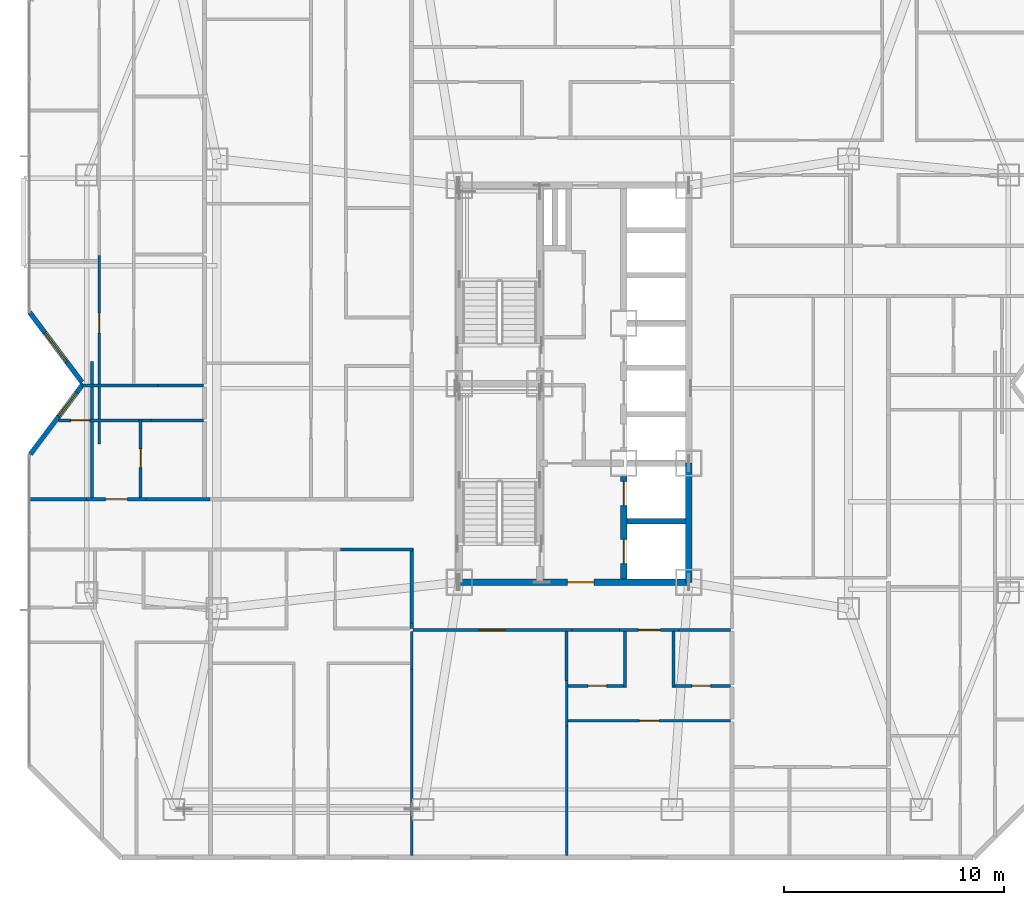
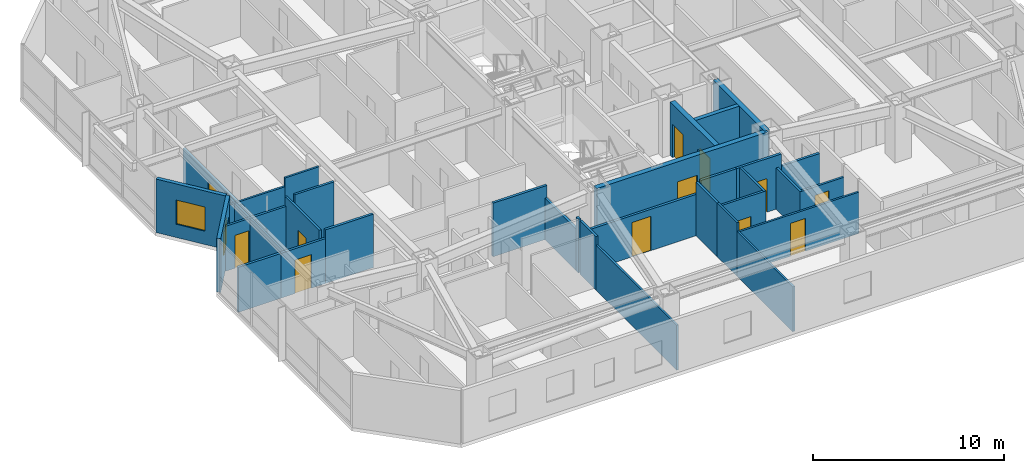
# One storey, part 15 of 21: 33 walls, 12 doors, 2 windows, 14 openings.
"""IFC4 building model written with IfcOpenShell, lengths in metres."""

import ifcopenshell
import ifcopenshell.guid

model = None  # the IFC model being written
_history = None  # IfcOwnerHistory: only IFC2X3 demands one
_inside = {}  # id of a spatial element -> (the spatial element, [elements in it])
_under = {}  # id of a project, library or spatial element -> (it, [spatial elements below it])
_declared = {}  # id of a project -> (the project, [libraries it declares])
_typed = {}  # id of a type object -> (the type object, [elements of that type])
_made_of = {}  # id of a material, layer set ... -> (it, [elements and type objects made of it])


def new_model(schema):
    """Start an empty IFC model of exactly this schema.

    Asked for "IFC4X3", IfcOpenShell would pick the latest addendum, in which some entities
    have other attributes; the version numbers below select the first issue.
    IFC2X3 requires an IfcOwnerHistory on every rooted entity: one is made here for all.
    """
    global model, _history
    if schema == "IFC4X3":
        model = ifcopenshell.file(schema_version=(4, 3, 0, 0))
    else:
        model = ifcopenshell.file(schema=schema)
    _inside.clear()
    _under.clear()
    _declared.clear()
    _typed.clear()
    _made_of.clear()
    _history = None
    if model.schema == "IFC2X3":
        org = make("IfcOrganization", Name="unknown")
        user = make(
            "IfcPersonAndOrganization",
            ThePerson=make("IfcPerson", FamilyName="unknown"),
            TheOrganization=org,
        )
        app = make(
            "IfcApplication",
            ApplicationDeveloper=org,
            Version="unknown",
            ApplicationFullName="unknown",
            ApplicationIdentifier="unknown",
        )
        _history = make(
            "IfcOwnerHistory",
            OwningUser=user,
            OwningApplication=app,
            ChangeAction="ADDED",
            CreationDate=0,
        )
    return model


def make(cls, **values):
    """One entity of the class cls with the attributes given. An attribute that is None is left unset."""
    return model.create_entity(
        cls, **{name: value for name, value in values.items() if value is not None}
    )


def rooted(cls, **values):
    """An entity with a GlobalId (a new one), such as an element, a storey or a relation."""
    return make(cls, GlobalId=ifcopenshell.guid.new(), OwnerHistory=_history, **values)


def si_unit(unit_type, name, prefix=None):
    """IfcSIUnit, for example si_unit("LENGTHUNIT", "METRE", prefix="MILLI")."""
    return make("IfcSIUnit", UnitType=unit_type, Prefix=prefix, Name=name)


def assignment(units):
    """IfcUnitAssignment: the units of a project."""
    return None if units is None else make("IfcUnitAssignment", Units=units)


def point(xyz):
    """IfcCartesianPoint."""
    return None if xyz is None else make("IfcCartesianPoint", Coordinates=xyz)


def direction(xyz):
    """IfcDirection."""
    return None if xyz is None else make("IfcDirection", DirectionRatios=xyz)


def frame(location, z_axis=None, x_axis=None):
    """IfcAxis2Placement3D, a coordinate frame: its origin and axes. An axis left out is left unset."""
    return make(
        "IfcAxis2Placement3D",
        Location=point(location),
        Axis=direction(z_axis),
        RefDirection=direction(x_axis),
    )


def frame_2d(location, x_axis=None):
    """IfcAxis2Placement2D, a coordinate frame in the plane: its origin and x axis."""
    return make(
        "IfcAxis2Placement2D", Location=point(location), RefDirection=direction(x_axis)
    )


def origin():
    """The frame at (0, 0, 0) with its axes left unset."""
    return frame((0.0, 0.0, 0.0))


def place(relative_to, where):
    """IfcLocalPlacement: puts the frame where relative to a parent placement (None: the world)."""
    return make(
        "IfcLocalPlacement", PlacementRelTo=relative_to, RelativePlacement=where
    )


def context(
    kind, dimensions, precision=None, world=None, true_north=None, identifier=None
):
    """IfcGeometricRepresentationContext, for example the 3D "Model" context."""
    return make(
        "IfcGeometricRepresentationContext",
        ContextIdentifier=identifier,
        ContextType=kind,
        CoordinateSpaceDimension=dimensions,
        Precision=precision,
        WorldCoordinateSystem=world,
        TrueNorth=true_north,
    )


def subcontext(parent, identifier, kind, view, scale=None):
    """IfcGeometricRepresentationSubContext, for example "Body" below "Model"."""
    return make(
        "IfcGeometricRepresentationSubContext",
        ContextIdentifier=identifier,
        ContextType=kind,
        ParentContext=parent,
        TargetScale=scale,
        TargetView=view,
    )


def project(units=None, contexts=None):
    """IfcProject with its units and contexts."""
    return rooted(
        "IfcProject",
        Name="project",
        RepresentationContexts=contexts,
        UnitsInContext=assignment(units),
    )


def spatial(cls, under=None, at=None, **own):
    """A site, building, storey or space (cls), placed at a placement, below another one or the project."""
    s = rooted(cls, ObjectPlacement=at, **own)
    if under is not None:
        _under.setdefault(under.id(), (under, []))[1].append(s)
    return s


def profile(cls, at=None, kind="AREA", **sizes):
    """A parametric profile (cls). Its sizes go by their IFC names, for example OverallWidth=200.0."""
    return make(cls, ProfileType=kind, Position=at, **sizes)


def rectangle(**sizes):
    """IfcRectangleProfileDef."""
    return profile("IfcRectangleProfileDef", **sizes)


def extrude(swept, where, along, depth):
    """IfcExtrudedAreaSolid: the profile swept, set in the frame where, extruded along a direction by depth."""
    return make(
        "IfcExtrudedAreaSolid",
        SweptArea=swept,
        Position=where,
        ExtrudedDirection=direction(along),
        Depth=depth,
    )


def shape(context_of_items, identifier, shape_type, items):
    """IfcShapeRepresentation: the items that make up one representation, for example the "Body"."""
    return make(
        "IfcShapeRepresentation",
        ContextOfItems=context_of_items,
        RepresentationIdentifier=identifier,
        RepresentationType=shape_type,
        Items=items,
    )


def material(Name=None, Category=None):
    """IfcMaterial."""
    return make("IfcMaterial", Name=Name, Category=Category)


def layer(
    of_material, thickness, ventilated=None, Name=None, Category=None, Priority=None
):
    """IfcMaterialLayer: one layer of a wall or slab, of a material (None: an air gap)."""
    return make(
        "IfcMaterialLayer",
        Material=of_material,
        LayerThickness=thickness,
        IsVentilated=ventilated,
        Name=Name,
        Category=Category,
        Priority=Priority,
    )


def layer_set(layers, Name=None):
    """IfcMaterialLayerSet."""
    return make("IfcMaterialLayerSet", MaterialLayers=layers, LayerSetName=Name)


def made_of(thing, what):
    """Note that an element or type object is made of a material, layer set ...; save() writes the relation."""
    if what is not None:
        _made_of.setdefault(what.id(), (what, []))[1].append(thing)
    return thing


def type_object(cls, material=None, **own):
    """A type object (cls), such as IfcWallType, which elements share."""
    return made_of(rooted(cls, **own), material)


def element(
    cls,
    number,
    at=None,
    inside=None,
    cuts=None,
    type_object=None,
    material=None,
    context=None,
    identifier="Body",
    shape_type=None,
    held_by="IfcProductDefinitionShape",
    body=None,
    shapes=None,
    **own,
):
    """One element of the class cls, such as IfcWall. Its Tag is "e" and its number.

    at: its placement. inside: the storey or other place that contains it. cuts: it is an
    opening in that element (IfcRelVoidsElement). A single representation is given by context,
    identifier, shape_type and body (its items); several are given by shapes. held_by: the class
    of the entity that holds the representations. save() writes the other relations.
    """
    e = rooted(cls, Tag="e%d" % number, ObjectPlacement=at, **own)
    if body is not None:
        shapes = [shape(context, identifier, shape_type, body)]
    if shapes is not None:
        e.Representation = make(held_by, Representations=shapes)
    if inside is not None:
        _inside.setdefault(inside.id(), (inside, []))[1].append(e)
    if cuts is not None:
        rooted(
            "IfcRelVoidsElement", RelatingBuildingElement=cuts, RelatedOpeningElement=e
        )
    if type_object is not None:
        _typed.setdefault(type_object.id(), (type_object, []))[1].append(e)
    return made_of(e, material)


def fill(opening, filler):
    """IfcRelFillsElement: the door or window that sits in an opening."""
    return rooted(
        "IfcRelFillsElement",
        RelatingOpeningElement=opening,
        RelatedBuildingElement=filler,
    )


def aggregate(whole, parts):
    """IfcRelAggregates: a whole, such as a stair, and the parts it consists of."""
    return rooted("IfcRelAggregates", RelatingObject=whole, RelatedObjects=parts)


def save(model, path):
    """Write the relations noted so far, then the file.

    IfcRelAggregates (storeys below a building ...), IfcRelContainedInSpatialStructure (elements
    in a storey), IfcRelDefinesByType, IfcRelAssociatesMaterial and IfcRelDeclares: one each for
    every whole, place, type object, material and project.
    """
    for whole, parts in _under.values():
        aggregate(whole, parts)
    for where, things in _inside.values():
        rooted(
            "IfcRelContainedInSpatialStructure",
            RelatedElements=things,
            RelatingStructure=where,
        )
    for kind, things in _typed.values():
        rooted("IfcRelDefinesByType", RelatedObjects=things, RelatingType=kind)
    for what, things in _made_of.values():
        rooted("IfcRelAssociatesMaterial", RelatedObjects=things, RelatingMaterial=what)
    for by, libraries in _declared.values():
        rooted("IfcRelDeclares", RelatingContext=by, RelatedDefinitions=libraries)
    model.write(path)


model = new_model("IFC4")

# Units and contexts
model_context = context("Model", 3, precision=1e-05, world=origin(), true_north=direction((0.0, 1.0)))
body_context = subcontext(model_context, "Body", "Model", "MODEL_VIEW")
ifc_project = project(units=[si_unit("LENGTHUNIT", "METRE"), si_unit("AREAUNIT", "SQUARE_METRE"), si_unit("VOLUMEUNIT", "CUBIC_METRE"), si_unit("PLANEANGLEUNIT", "RADIAN"), si_unit("MASSUNIT", "GRAM", prefix="KILO")], contexts=[model_context])

# Site, building, storey
site_placement = place(None, origin())
site = spatial("IfcSite", under=ifc_project, at=site_placement, CompositionType="ELEMENT")
building_placement = place(site_placement, origin())
building = spatial("IfcBuilding", under=site, at=building_placement, Name="Khamvora Tower", CompositionType="ELEMENT")
storey_placement = place(building_placement, frame((0.0, 0.0, 98.25)))
storey = spatial("IfcBuildingStorey", under=building, at=storey_placement, Name="L24", CompositionType="ELEMENT", Elevation=98.25)

# Wall, opening, door
ifc_material_1 = material(Name="Concrete C50/60", Category="concrete")
ifc_layer_1 = layer(ifc_material_1, 0.300048828125)
ifc_layer_set_1 = layer_set([ifc_layer_1], Name="Concrete C50/60")
wall_type_1 = type_object("IfcWallType", Name="WAL-CORE-300", PredefinedType="SHEAR", material=ifc_layer_set_1)
wall_1_placement = place(storey_placement, frame((29.0, 19.0, 0.0), z_axis=(0.0, 0.0, 1.0), x_axis=(1.0, 0.0, 0.0)))
wall_1 = element("IfcWall", 1, at=wall_1_placement, inside=storey, type_object=wall_type_1, Name="L24 central core south wall", PredefinedType="SHEAR", context=body_context, shape_type="SweptSolid", body=[
    extrude(rectangle(XDim=10.39990234375, YDim=0.300048828125, at=frame_2d((5.199951171875, 0.0))), origin(), (0.0, 0.0, 1.0), 3.429931640625),
])
opening_1_placement = place(wall_1_placement, frame((4.89990234375, 0.0, 0.0)))
opening_1 = element("IfcOpeningElement", 2, at=opening_1_placement, cuts=wall_1, Name="Opening D-CR1", PredefinedType="OPENING", context=body_context, shape_type="SweptSolid", body=[
    extrude(rectangle(XDim=1.199951171875, YDim=2.14990234375, at=frame_2d((0.60009765625, 1.074951171875))), frame((0.0, 0.159912109375, 0.0), z_axis=(0.0, -1.0, 0.0), x_axis=(1.0, 0.0, 0.0)), (0.0, 0.0, 1.0), 0.320068359375),
])
ifc_material_2 = material(Name="Powder-Coated Steel and Hardwood Leaf", Category="steel")
door_type_1 = type_object("IfcDoorType", Name="DOR-CORR-1200", OperationType="NOTDEFINED", PredefinedType="DOOR", material=ifc_material_2)
door_1_placement = place(opening_1_placement, origin())
door_1 = element("IfcDoor", 3, at=door_1_placement, inside=storey, type_object=door_type_1, Name="L24 south core lobby to corridor fire door", OperationType="SINGLE_SWING_LEFT", OverallHeight=2.14990234375, OverallWidth=1.199951171875, PredefinedType="DOOR", context=body_context, shape_type="SweptSolid", body=[
    extrude(rectangle(XDim=1.199951171875, YDim=2.14990234375, at=frame_2d((0.60009765625, 1.074951171875))), frame((0.0, 0.02490234375, 0.0), z_axis=(0.0, -1.0, 0.0), x_axis=(1.0, 0.0, 0.0)), (0.0, 0.0, 1.0), 0.050048828125),
])
fill(opening_1, door_1)

# Wall
wall_2_placement = place(storey_placement, frame((39.39990234375, 19.0, 0.0), z_axis=(0.0, 0.0, 1.0), x_axis=(0.0, 1.0, 0.0)))
element("IfcWall", 4, at=wall_2_placement, inside=storey, type_object=wall_type_1, Name="L24 central core east south wall", PredefinedType="SHEAR", context=body_context, shape_type="SweptSolid", body=[
    extrude(rectangle(XDim=5.39990234375, YDim=0.300048828125, at=frame_2d((2.699951171875, 0.0))), origin(), (0.0, 0.0, 1.0), 3.429931640625),
])

# Wall, openings, doors
wall_3_placement = place(storey_placement, frame((36.449951171875, 19.154052734375, 0.0), z_axis=(0.0, 0.0, 1.0), x_axis=(0.0, 1.0, 0.0)))
wall_3 = element("IfcWall", 5, at=wall_3_placement, inside=storey, type_object=wall_type_1, Name="L24 central core lift bank south wall", PredefinedType="SHEAR", context=body_context, shape_type="SweptSolid", body=[
    extrude(rectangle(XDim=4.64599609375, YDim=0.300048828125, at=frame_2d((2.322998046875, 0.0))), origin(), (0.0, 0.0, 1.0), 3.429931640625),
])
opening_2_placement = place(wall_3_placement, frame((0.696044921875, 0.0, 0.0)))
opening_2 = element("IfcOpeningElement", 6, at=opening_2_placement, cuts=wall_3, Name="Opening LD-FFL", PredefinedType="OPENING", context=body_context, shape_type="SweptSolid", body=[
    extrude(rectangle(XDim=1.10009765625, YDim=2.14990234375, at=frame_2d((0.550048828125, 1.074951171875))), frame((0.0, 0.159912109375, 0.0), z_axis=(0.0, -1.0, 0.0), x_axis=(1.0, 0.0, 0.0)), (0.0, 0.0, 1.0), 0.320068359375),
])
opening_3_placement = place(wall_3_placement, frame((3.31591796875, 0.0, 0.0)))
opening_3 = element("IfcOpeningElement", 7, at=opening_3_placement, cuts=wall_3, Name="Opening LD-FFL", PredefinedType="OPENING", context=body_context, shape_type="SweptSolid", body=[
    extrude(rectangle(XDim=1.10009765625, YDim=2.14990234375, at=frame_2d((0.550048828125, 1.074951171875))), frame((0.0, 0.159912109375, 0.0), z_axis=(0.0, -1.0, 0.0), x_axis=(1.0, 0.0, 0.0)), (0.0, 0.0, 1.0), 0.320068359375),
])
door_type_2 = type_object("IfcDoorType", Name="DOR-LIFT-1100", OperationType="SLIDING_TO_LEFT", PredefinedType="DOOR", material=ifc_material_2)
door_2_placement = place(opening_2_placement, origin())
door_2 = element("IfcDoor", 8, at=door_2_placement, inside=storey, type_object=door_type_2, Name="L24 lift landing sliding door FFL-01", OperationType="SLIDING_TO_LEFT", OverallHeight=2.14990234375, OverallWidth=1.10009765625, PredefinedType="DOOR", context=body_context, shape_type="SweptSolid", body=[
    extrude(rectangle(XDim=1.10009765625, YDim=2.14990234375, at=frame_2d((0.550048828125, 1.074951171875))), frame((0.0, 0.02490234375, 0.0), z_axis=(0.0, -1.0, 0.0), x_axis=(1.0, 0.0, 0.0)), (0.0, 0.0, 1.0), 0.050048828125),
])
fill(opening_2, door_2)
door_3_placement = place(opening_3_placement, origin())
door_3 = element("IfcDoor", 9, at=door_3_placement, inside=storey, type_object=door_type_2, Name="L24 lift landing sliding door FFL-02", OperationType="SLIDING_TO_LEFT", OverallHeight=2.14990234375, OverallWidth=1.10009765625, PredefinedType="DOOR", context=body_context, shape_type="SweptSolid", body=[
    extrude(rectangle(XDim=1.10009765625, YDim=2.14990234375, at=frame_2d((0.550048828125, 1.074951171875))), frame((0.0, 0.02490234375, 0.0), z_axis=(0.0, -1.0, 0.0), x_axis=(1.0, 0.0, 0.0)), (0.0, 0.0, 1.0), 0.050048828125),
])
fill(opening_3, door_3)

# Wall, opening, door
ifc_material_3 = material(Name="Fire-Rated Drywall and Steel Stud", Category="steel")
ifc_layer_2 = layer(ifc_material_3, 0.14990234375)
ifc_layer_set_2 = layer_set([ifc_layer_2], Name="Fire-Rated Drywall and Steel Stud")
wall_type_2 = type_object("IfcWallType", Name="WAL-CORR-150", PredefinedType="STANDARD", material=ifc_layer_set_2)
wall_4_placement = place(storey_placement, frame((34.114013671875, 16.8349609375, 0.0), z_axis=(0.0, 0.0, 1.0), x_axis=(-1.0, 0.0, 0.0)))
wall_4 = element("IfcWall", 10, at=wall_4_placement, inside=storey, type_object=wall_type_2, Name="L24 interior partition wall 006", PredefinedType="STANDARD", context=body_context, shape_type="SweptSolid", body=[
    extrude(rectangle(XDim=7.214111328125, YDim=0.14990234375, at=frame_2d((3.60693359375, 0.0))), origin(), (0.0, 0.0, 1.0), 2.64697265625),
])
opening_4_placement = place(wall_4_placement, frame((3.052978515625, 0.0, 0.0)))
opening_4 = element("IfcOpeningElement", 11, at=opening_4_placement, cuts=wall_4, Name="Opening D-SC1", PredefinedType="OPENING", context=body_context, shape_type="SweptSolid", body=[
    extrude(rectangle(XDim=1.14990234375, YDim=2.199951171875, at=frame_2d((0.574951171875, 1.10009765625))), frame((0.0, 0.0849609375, 0.0), z_axis=(0.0, -1.0, 0.0), x_axis=(1.0, 0.0, 0.0)), (0.0, 0.0, 1.0), 0.169921875),
])
door_type_3 = type_object("IfcDoorType", Name="DOR-SCHL-1150", OperationType="NOTDEFINED", PredefinedType="DOOR", material=ifc_material_2)
door_4_placement = place(opening_4_placement, origin())
door_4 = element("IfcDoor", 12, at=door_4_placement, inside=storey, type_object=door_type_3, Name="L24 interior door COR-RLIB", OperationType="SINGLE_SWING_LEFT", OverallHeight=2.199951171875, OverallWidth=1.14990234375, PredefinedType="DOOR", context=body_context, shape_type="SweptSolid", body=[
    extrude(rectangle(XDim=1.14990234375, YDim=2.199951171875, at=frame_2d((0.574951171875, 1.10009765625))), frame((0.0, 0.02490234375, 0.0), z_axis=(0.0, -1.0, 0.0), x_axis=(1.0, 0.0, 0.0)), (0.0, 0.0, 1.0), 0.050048828125),
])
fill(opening_4, door_4)

# Walls
wall_5_placement = place(storey_placement, frame((26.8349609375, 16.89990234375, 0.0), z_axis=(0.0, 0.0, 1.0), x_axis=(0.0, 1.0, 0.0)))
element("IfcWall", 13, at=wall_5_placement, inside=storey, type_object=wall_type_2, Name="L24 interior partition wall 010", PredefinedType="STANDARD", context=body_context, shape_type="SweptSolid", body=[
    extrude(rectangle(XDim=0.254150390625, YDim=0.14990234375, at=frame_2d((0.126953125, 0.0))), origin(), (0.0, 0.0, 1.0), 3.429931640625),
])
wall_6_placement = place(storey_placement, frame((26.8349609375, 17.154052734375, 0.0), z_axis=(0.0, 0.0, 1.0), x_axis=(0.0, 1.0, 0.0)))
element("IfcWall", 14, at=wall_6_placement, inside=storey, type_object=wall_type_2, Name="L24 interior partition wall 013", PredefinedType="STANDARD", context=body_context, shape_type="SweptSolid", body=[
    extrude(rectangle(XDim=3.39599609375, YDim=0.14990234375, at=frame_2d((1.697998046875, 0.0))), origin(), (0.0, 0.0, 1.0), 2.64697265625),
])
wall_7_placement = place(storey_placement, frame((26.89794921875, 20.485107421875, 0.0), z_axis=(0.0, 0.0, 1.0), x_axis=(-1.0, 0.0, 0.0)))
element("IfcWall", 15, at=wall_7_placement, inside=storey, type_object=wall_type_2, Name="L24 interior partition wall 014", PredefinedType="STANDARD", context=body_context, shape_type="SweptSolid", body=[
    extrude(rectangle(XDim=3.279052734375, YDim=0.14990234375, at=frame_2d((1.6396484375, 0.0))), origin(), (0.0, 0.0, 1.0), 3.429931640625),
])

# Wall, opening, door
wall_8_placement = place(storey_placement, frame((12.097900390625, 22.764892578125, 0.0), z_axis=(0.0, 0.0, 1.0), x_axis=(1.0, 0.0, 0.0)))
wall_8 = element("IfcWall", 16, at=wall_8_placement, inside=storey, type_object=wall_type_2, Name="L24 interior partition wall 015", PredefinedType="STANDARD", context=body_context, shape_type="SweptSolid", body=[
    extrude(rectangle(XDim=2.697998046875, YDim=0.14990234375, at=frame_2d((1.34912109375, 0.0))), origin(), (0.0, 0.0, 1.0), 2.8759765625),
])
opening_5_placement = place(wall_8_placement, frame((0.84912109375, 0.0, 0.0)))
opening_5 = element("IfcOpeningElement", 17, at=opening_5_placement, cuts=wall_8, Name="Opening D-U1", PredefinedType="OPENING", context=body_context, shape_type="SweptSolid", body=[
    extrude(rectangle(XDim=1.0, YDim=2.14990234375, at=frame_2d((0.5, 1.074951171875))), frame((0.0, 0.0849609375, 0.0), z_axis=(0.0, -1.0, 0.0), x_axis=(1.0, 0.0, 0.0)), (0.0, 0.0, 1.0), 0.169921875),
])
door_type_4 = type_object("IfcDoorType", Name="DOR-UNIT-1000", OperationType="NOTDEFINED", PredefinedType="DOOR", material=ifc_material_2)
door_5_placement = place(opening_5_placement, origin())
door_5 = element("IfcDoor", 18, at=door_5_placement, inside=storey, type_object=door_type_4, Name="L24 interior door COR-24WC1H", OperationType="SINGLE_SWING_RIGHT", OverallHeight=2.14990234375, OverallWidth=1.0, PredefinedType="DOOR", context=body_context, shape_type="SweptSolid", body=[
    extrude(rectangle(XDim=1.0, YDim=2.14990234375, at=frame_2d((0.5, 1.074951171875))), frame((0.0, 0.02490234375, 0.0), z_axis=(0.0, -1.0, 0.0), x_axis=(1.0, 0.0, 0.0)), (0.0, 0.0, 1.0), 0.050048828125),
])
fill(opening_5, door_5)

# Walls
wall_9_placement = place(storey_placement, frame((9.510009765625, 22.764892578125, 0.0), z_axis=(0.0, 0.0, 1.0), x_axis=(1.0, 0.0, 0.0)))
element("IfcWall", 19, at=wall_9_placement, inside=storey, type_object=wall_type_2, Name="L24 interior partition wall 016", PredefinedType="STANDARD", context=body_context, shape_type="SweptSolid", body=[
    extrude(rectangle(XDim=2.587890625, YDim=0.14990234375, at=frame_2d((1.2939453125, 0.0))), origin(), (0.0, 0.0, 1.0), 2.8759765625),
])
wall_10_placement = place(storey_placement, frame((14.7958984375, 22.764892578125, 0.0), z_axis=(0.0, 0.0, 1.0), x_axis=(1.0, 0.0, 0.0)))
element("IfcWall", 20, at=wall_10_placement, inside=storey, type_object=wall_type_2, Name="L24 interior partition wall 017", PredefinedType="STANDARD", context=body_context, shape_type="SweptSolid", body=[
    extrude(rectangle(XDim=2.903076171875, YDim=0.14990234375, at=frame_2d((1.45166015625, 0.0))), origin(), (0.0, 0.0, 1.0), 3.429931640625),
])

# Wall, opening, door
wall_11_placement = place(storey_placement, frame((38.964111328125, 16.8349609375, 0.0), z_axis=(0.0, 0.0, 1.0), x_axis=(-1.0, 0.0, 0.0)))
wall_11 = element("IfcWall", 21, at=wall_11_placement, inside=storey, type_object=wall_type_2, Name="L24 interior partition wall 025", PredefinedType="STANDARD", context=body_context, shape_type="SweptSolid", body=[
    extrude(rectangle(XDim=2.697998046875, YDim=0.14990234375, at=frame_2d((1.34912109375, 0.0))), origin(), (0.0, 0.0, 1.0), 3.429931640625),
])
opening_6_placement = place(wall_11_placement, frame((0.84912109375, 0.0, 0.0)))
opening_6 = element("IfcOpeningElement", 22, at=opening_6_placement, cuts=wall_11, Name="Opening D-U1", PredefinedType="OPENING", context=body_context, shape_type="SweptSolid", body=[
    extrude(rectangle(XDim=1.0, YDim=2.14990234375, at=frame_2d((0.5, 1.074951171875))), frame((0.0, 0.0849609375, 0.0), z_axis=(0.0, -1.0, 0.0), x_axis=(1.0, 0.0, 0.0)), (0.0, 0.0, 1.0), 0.169921875),
])
door_6_placement = place(opening_6_placement, origin())
door_6 = element("IfcDoor", 23, at=door_6_placement, inside=storey, type_object=door_type_4, Name="L24 interior door COR-24SAH", OperationType="SINGLE_SWING_RIGHT", OverallHeight=2.14990234375, OverallWidth=1.0, PredefinedType="DOOR", context=body_context, shape_type="SweptSolid", body=[
    extrude(rectangle(XDim=1.0, YDim=2.14990234375, at=frame_2d((0.5, 1.074951171875))), frame((0.0, 0.02490234375, 0.0), z_axis=(0.0, -1.0, 0.0), x_axis=(1.0, 0.0, 0.0)), (0.0, 0.0, 1.0), 0.050048828125),
])
fill(opening_6, door_6)

# Walls
wall_12_placement = place(storey_placement, frame((36.26611328125, 16.8349609375, 0.0), z_axis=(0.0, 0.0, 1.0), x_axis=(-1.0, 0.0, 0.0)))
element("IfcWall", 24, at=wall_12_placement, inside=storey, type_object=wall_type_2, Name="L24 interior partition wall 026", PredefinedType="STANDARD", context=body_context, shape_type="SweptSolid", body=[
    extrude(rectangle(XDim=2.152099609375, YDim=0.14990234375, at=frame_2d((1.076171875, 0.0))), origin(), (0.0, 0.0, 1.0), 3.429931640625),
])
wall_13_placement = place(storey_placement, frame((41.300048828125, 16.8349609375, 0.0), z_axis=(0.0, 0.0, 1.0), x_axis=(-1.0, 0.0, 0.0)))
element("IfcWall", 25, at=wall_13_placement, inside=storey, type_object=wall_type_2, Name="L24 interior partition wall 027", PredefinedType="STANDARD", context=body_context, shape_type="SweptSolid", body=[
    extrude(rectangle(XDim=2.3359375, YDim=0.14990234375, at=frame_2d((1.16796875, 0.0))), origin(), (0.0, 0.0, 1.0), 2.64697265625),
])

# Wall, opening, window
ifc_material_4 = material(Name="Precast concrete C40/50", Category="concrete")
ifc_layer_3 = layer(ifc_material_4, 0.219970703125)
ifc_layer_set_3 = layer_set([ifc_layer_3], Name="Precast concrete C40/50")
wall_type_3 = type_object("IfcWallType", Name="WAL-EXT-220", PredefinedType="STANDARD", material=ifc_layer_set_3)
wall_14_placement = place(storey_placement, frame((9.5439453125, 24.80810546875, 0.0), z_axis=(0.0, 0.0, 1.0), x_axis=(0.600019580308, 0.799985314394, 0.0)))
wall_14 = element("IfcWall", 26, at=wall_14_placement, inside=storey, type_object=wall_type_3, Name="L24 exterior facade wall 03.1", PredefinedType="STANDARD", context=body_context, shape_type="SweptSolid", body=[
    extrude(rectangle(XDim=3.989990234375, YDim=0.219970703125, at=frame_2d((1.9951171875, 0.0))), origin(), (0.0, 0.0, 1.0), 3.429931640625),
])
opening_7_placement = place(wall_14_placement, frame((2.14697265625, 0.0, 0.85009765625)))
opening_7 = element("IfcOpeningElement", 27, at=opening_7_placement, cuts=wall_14, Name="Opening WN-07", PredefinedType="OPENING", context=body_context, shape_type="SweptSolid", body=[
    extrude(rectangle(XDim=1.35009765625, YDim=1.5, at=frame_2d((0.675048828125, 0.75))), frame((0.0, 0.119873046875, 0.0), z_axis=(0.0, -1.0, 0.0), x_axis=(1.0, 0.0, 0.0)), (0.0, 0.0, 1.0), 0.239990234375),
])
ifc_material_5 = material(Name="Low-E Laminated Double Glazing", Category="glass")
window_type_1 = type_object("IfcWindowType", Name="WIN-VIS-1350x1500", PartitioningType="SINGLE_PANEL", PredefinedType="WINDOW", material=ifc_material_5)
window_1_placement = place(opening_7_placement, origin())
window_1 = element("IfcWindow", 28, at=window_1_placement, inside=storey, type_object=window_type_1, Name="L24 vision window 03.1.01", OverallHeight=1.5, OverallWidth=1.35009765625, PartitioningType="SINGLE_PANEL", PredefinedType="WINDOW", context=body_context, shape_type="SweptSolid", body=[
    extrude(rectangle(XDim=1.35009765625, YDim=1.5, at=frame_2d((0.675048828125, 0.75))), frame((0.0, 0.030029296875, 0.0), z_axis=(0.0, -1.0, 0.0), x_axis=(1.0, 0.0, 0.0)), (0.0, 0.0, 1.0), 0.06005859375),
])
fill(opening_7, window_1)

wall_15_placement = place(storey_placement, frame((11.881103515625, 28.076904296875, 0.0), z_axis=(0.0, 0.0, 1.0), x_axis=(-0.600158184825, 0.799881336942, 0.0)))
wall_15 = element("IfcWall", 29, at=wall_15_placement, inside=storey, type_object=wall_type_3, Name="L24 exterior facade wall 04.1", PredefinedType="STANDARD", context=body_context, shape_type="SweptSolid", body=[
    extrude(rectangle(XDim=3.95068359375, YDim=0.219970703125, at=frame_2d((1.975341796875, 0.0))), origin(), (0.0, 0.0, 1.0), 3.429931640625),
])
opening_8_placement = place(wall_15_placement, frame((1.14990234375, 0.0, 0.85009765625)))
opening_8 = element("IfcOpeningElement", 30, at=opening_8_placement, cuts=wall_15, Name="Opening WN-06", PredefinedType="OPENING", context=body_context, shape_type="SweptSolid", body=[
    extrude(rectangle(XDim=1.64990234375, YDim=1.550048828125, at=frame_2d((0.824951171875, 0.77490234375))), frame((0.0, 0.119873046875, 0.0), z_axis=(0.0, -1.0, 0.0), x_axis=(1.0, 0.0, 0.0)), (0.0, 0.0, 1.0), 0.239990234375),
])
window_type_2 = type_object("IfcWindowType", Name="WIN-VIS-1650x1550", PartitioningType="SINGLE_PANEL", PredefinedType="WINDOW", material=ifc_material_5)
window_2_placement = place(opening_8_placement, origin())
window_2 = element("IfcWindow", 31, at=window_2_placement, inside=storey, type_object=window_type_2, Name="L24 vision window 04.1.01", OverallHeight=1.550048828125, OverallWidth=1.64990234375, PartitioningType="SINGLE_PANEL", PredefinedType="WINDOW", context=body_context, shape_type="SweptSolid", body=[
    extrude(rectangle(XDim=1.64990234375, YDim=1.550048828125, at=frame_2d((0.824951171875, 0.77490234375))), frame((0.0, 0.030029296875, 0.0), z_axis=(0.0, -1.0, 0.0), x_axis=(1.0, 0.0, 0.0)), (0.0, 0.0, 1.0), 0.06005859375),
])
fill(opening_8, window_2)

# Walls
ifc_material_6 = material(Name="Gypsum Plasterboard Partition", Category="gypsum")
ifc_layer_4 = layer(ifc_material_6, 0.1201171875)
ifc_layer_set_4 = layer_set([ifc_layer_4], Name="Gypsum Plasterboard Partition")
wall_type_4 = type_object("IfcWallType", Name="WAL-PART-120", PredefinedType="PARTITIONING", material=ifc_layer_set_4)
wall_16_placement = place(storey_placement, frame((26.8349609375, 15.075927734375, 0.0), z_axis=(0.0, 0.0, 1.0), x_axis=(0.0, 1.0, 0.0)))
element("IfcWall", 32, at=wall_16_placement, inside=storey, type_object=wall_type_4, Name="L24 interior partition wall 043", PredefinedType="PARTITIONING", context=body_context, shape_type="SweptSolid", body=[
    extrude(rectangle(XDim=1.694091796875, YDim=0.1201171875, at=frame_2d((0.84716796875, 0.0))), origin(), (0.0, 0.0, 1.0), 3.429931640625),
])
wall_17_placement = place(storey_placement, frame((26.8349609375, 6.612060546875, 0.0), z_axis=(0.0, 0.0, 1.0), x_axis=(0.0, 1.0, 0.0)))
element("IfcWall", 33, at=wall_17_placement, inside=storey, type_object=wall_type_4, Name="L24 interior partition wall 044", PredefinedType="PARTITIONING", context=body_context, shape_type="SweptSolid", body=[
    extrude(rectangle(XDim=8.4638671875, YDim=0.1201171875, at=frame_2d((4.23193359375, 0.0))), origin(), (0.0, 0.0, 1.0), 2.8759765625),
])
wall_18_placement = place(storey_placement, frame((33.864990234375, 14.553955078125, 0.0), z_axis=(0.0, 0.0, 1.0), x_axis=(0.0, -1.0, 0.0)))
element("IfcWall", 34, at=wall_18_placement, inside=storey, type_object=wall_type_4, Name="L24 interior partition wall 045", PredefinedType="PARTITIONING", context=body_context, shape_type="SweptSolid", body=[
    extrude(rectangle(XDim=2.077880859375, YDim=0.1201171875, at=frame_2d((1.0390625, 0.0))), origin(), (0.0, 0.0, 1.0), 3.429931640625),
])
wall_19_placement = place(storey_placement, frame((33.864990234375, 12.47607421875, 0.0), z_axis=(0.0, 0.0, 1.0), x_axis=(0.0, -1.0, 0.0)))
element("IfcWall", 35, at=wall_19_placement, inside=storey, type_object=wall_type_4, Name="L24 interior partition wall 047", PredefinedType="PARTITIONING", context=body_context, shape_type="SweptSolid", body=[
    extrude(rectangle(XDim=5.864013671875, YDim=0.1201171875, at=frame_2d((2.93212890625, 0.0))), origin(), (0.0, 0.0, 1.0), 2.8759765625),
])
wall_20_placement = place(storey_placement, frame((11.89404296875, 27.925048828125, 0.0), z_axis=(0.0, 0.0, 1.0), x_axis=(1.0, 0.0, 0.0)))
element("IfcWall", 36, at=wall_20_placement, inside=storey, type_object=wall_type_4, Name="L24 interior partition wall 073", PredefinedType="PARTITIONING", context=body_context, shape_type="SweptSolid", body=[
    extrude(rectangle(XDim=3.432861328125, YDim=0.1201171875, at=frame_2d((1.71630859375, 0.0))), origin(), (0.0, 0.0, 1.0), 2.8759765625),
])

# Wall, opening, door
wall_21_placement = place(storey_placement, frame((12.662109375, 25.260009765625, 0.0), z_axis=(0.0, 0.0, 1.0), x_axis=(0.0, 1.0, 0.0)))
wall_21 = element("IfcWall", 37, at=wall_21_placement, inside=storey, type_object=wall_type_4, Name="L24 interior partition wall 074", PredefinedType="PARTITIONING", context=body_context, shape_type="SweptSolid", body=[
    extrude(rectangle(XDim=8.56689453125, YDim=0.1201171875, at=frame_2d((4.283447265625, 0.0))), origin(), (0.0, 0.0, 1.0), 2.68701171875),
])
opening_9_placement = place(wall_21_placement, frame((5.0419921875, 0.0, 0.0)))
opening_9 = element("IfcOpeningElement", 38, at=opening_9_placement, cuts=wall_21, Name="Opening D-RM1", PredefinedType="OPENING", context=body_context, shape_type="SweptSolid", body=[
    extrude(rectangle(XDim=0.89990234375, YDim=2.10009765625, at=frame_2d((0.449951171875, 1.050048828125))), frame((0.0, 0.070068359375, 0.0), z_axis=(0.0, -1.0, 0.0), x_axis=(1.0, 0.0, 0.0)), (0.0, 0.0, 1.0), 0.14013671875),
])
door_type_5 = type_object("IfcDoorType", Name="DOR-ROOM-900", OperationType="NOTDEFINED", PredefinedType="DOOR", material=ifc_material_2)
door_7_placement = place(opening_9_placement, origin())
door_7 = element("IfcDoor", 39, at=door_7_placement, inside=storey, type_object=door_type_5, Name="L24 interior door 24WC1H-24WC1L", OperationType="SINGLE_SWING_RIGHT", OverallHeight=2.10009765625, OverallWidth=0.89990234375, PredefinedType="DOOR", context=body_context, shape_type="SweptSolid", body=[
    extrude(rectangle(XDim=0.89990234375, YDim=2.10009765625, at=frame_2d((0.449951171875, 1.050048828125))), frame((0.0, 0.02490234375, 0.0), z_axis=(0.0, -1.0, 0.0), x_axis=(1.0, 0.0, 0.0)), (0.0, 0.0, 1.0), 0.050048828125),
])
fill(opening_9, door_7)

# Wall
wall_22_placement = place(storey_placement, frame((15.326904296875, 27.925048828125, 0.0), z_axis=(0.0, 0.0, 1.0), x_axis=(1.0, 0.0, 0.0)))
element("IfcWall", 40, at=wall_22_placement, inside=storey, type_object=wall_type_4, Name="L24 interior partition wall 077", PredefinedType="PARTITIONING", context=body_context, shape_type="SweptSolid", body=[
    extrude(rectangle(XDim=2.05810546875, YDim=0.1201171875, at=frame_2d((1.029052734375, 0.0))), origin(), (0.0, 0.0, 1.0), 3.429931640625),
])

# Wall, opening, door
wall_23_placement = place(storey_placement, frame((41.300048828125, 12.72509765625, 0.0), z_axis=(0.0, 0.0, 1.0), x_axis=(-1.0, 0.0, 0.0)))
wall_23 = element("IfcWall", 41, at=wall_23_placement, inside=storey, type_object=wall_type_4, Name="L24 interior partition wall 113", PredefinedType="PARTITIONING", context=body_context, shape_type="SweptSolid", body=[
    extrude(rectangle(XDim=7.381103515625, YDim=0.1201171875, at=frame_2d((3.6904296875, 0.0))), origin(), (0.0, 0.0, 1.0), 2.64697265625),
])
opening_10_placement = place(wall_23_placement, frame((3.239990234375, 0.0, 0.0)))
opening_10 = element("IfcOpeningElement", 42, at=opening_10_placement, cuts=wall_23, Name="Opening D-RM1", PredefinedType="OPENING", context=body_context, shape_type="SweptSolid", body=[
    extrude(rectangle(XDim=0.89990234375, YDim=2.10009765625, at=frame_2d((0.449951171875, 1.050048828125))), frame((0.0, 0.070068359375, 0.0), z_axis=(0.0, -1.0, 0.0), x_axis=(1.0, 0.0, 0.0)), (0.0, 0.0, 1.0), 0.14013671875),
])
door_8_placement = place(opening_10_placement, origin())
door_8 = element("IfcDoor", 43, at=door_8_placement, inside=storey, type_object=door_type_5, Name="L24 interior door 24SAH-24SAR1", OperationType="SINGLE_SWING_RIGHT", OverallHeight=2.10009765625, OverallWidth=0.89990234375, PredefinedType="DOOR", context=body_context, shape_type="SweptSolid", body=[
    extrude(rectangle(XDim=0.89990234375, YDim=2.10009765625, at=frame_2d((0.449951171875, 1.050048828125))), frame((0.0, 0.02490234375, 0.0), z_axis=(0.0, -1.0, 0.0), x_axis=(1.0, 0.0, 0.0)), (0.0, 0.0, 1.0), 0.050048828125),
])
fill(opening_10, door_8)

# Walls
ifc_material_7 = material(Name="Concrete C40/50", Category="concrete")
ifc_layer_5 = layer(ifc_material_7, 0.25)
ifc_layer_set_5 = layer_set([ifc_layer_5], Name="Concrete C40/50")
wall_type_5 = type_object("IfcWallType", Name="WAL-PODS-250", PredefinedType="SHEAR", material=ifc_layer_set_5)
wall_24_placement = place(storey_placement, frame((36.60400390625, 21.77490234375, 0.0), z_axis=(0.0, 0.0, 1.0), x_axis=(1.0, 0.0, 0.0)))
element("IfcWall", 44, at=wall_24_placement, inside=storey, type_object=wall_type_5, Name="L24 lift shaft divider wall FFL-01", PredefinedType="SHEAR", context=body_context, shape_type="SweptSolid", body=[
    extrude(rectangle(XDim=2.64208984375, YDim=0.25, at=frame_2d((1.321044921875, 0.0))), origin(), (0.0, 0.0, 1.0), 3.429931640625),
])
ifc_material_8 = material(Name="Moisture-Resistant Plasterboard Partition", Category="gypsum")
ifc_layer_6 = layer(ifc_material_8, 0.135009765625)
ifc_layer_set_6 = layer_set([ifc_layer_6], Name="Moisture-Resistant Plasterboard Partition")
wall_type_6 = type_object("IfcWallType", Name="WAL-WET-135", PredefinedType="PARTITIONING", material=ifc_layer_set_6)
wall_25_placement = place(storey_placement, frame((33.864990234375, 16.77001953125, 0.0), z_axis=(0.0, 0.0, 1.0), x_axis=(0.0, -1.0, 0.0)))
element("IfcWall", 45, at=wall_25_placement, inside=storey, type_object=wall_type_6, Name="L24 interior partition wall 046", PredefinedType="PARTITIONING", context=body_context, shape_type="SweptSolid", body=[
    extrude(rectangle(XDim=2.216064453125, YDim=0.135009765625, at=frame_2d((1.10791015625, 0.0))), origin(), (0.0, 0.0, 1.0), 3.429931640625),
])
wall_26_placement = place(storey_placement, frame((12.346923828125, 22.83203125, 0.0), z_axis=(0.0, 0.0, 1.0), x_axis=(0.0, 1.0, 0.0)))
element("IfcWall", 46, at=wall_26_placement, inside=storey, type_object=wall_type_6, Name="L24 interior partition wall 069", PredefinedType="PARTITIONING", context=body_context, shape_type="SweptSolid", body=[
    extrude(rectangle(XDim=6.177978515625, YDim=0.135009765625, at=frame_2d((3.0888671875, 0.0))), origin(), (0.0, 0.0, 1.0), 2.8759765625),
])

# Wall, opening, door
wall_27_placement = place(storey_placement, frame((15.011962890625, 26.344970703125, 0.0), z_axis=(0.0, 0.0, 1.0), x_axis=(-1.0, 0.0, 0.0)))
wall_27 = element("IfcWall", 47, at=wall_27_placement, inside=storey, type_object=wall_type_6, Name="L24 interior partition wall 070", PredefinedType="PARTITIONING", context=body_context, shape_type="SweptSolid", body=[
    extrude(rectangle(XDim=4.203857421875, YDim=0.135009765625, at=frame_2d((2.10205078125, 0.0))), origin(), (0.0, 0.0, 1.0), 2.8759765625),
])
opening_11_placement = place(wall_27_placement, frame((2.778076171875, 0.0, 0.0)))
opening_11 = element("IfcOpeningElement", 48, at=opening_11_placement, cuts=wall_27, Name="Opening D-WC1", PredefinedType="OPENING", context=body_context, shape_type="SweptSolid", body=[
    extrude(rectangle(XDim=0.85009765625, YDim=2.10009765625, at=frame_2d((0.425048828125, 1.050048828125))), frame((0.0, 0.077392578125, 0.0), z_axis=(0.0, -1.0, 0.0), x_axis=(1.0, 0.0, 0.0)), (0.0, 0.0, 1.0), 0.155029296875),
])
door_type_6 = type_object("IfcDoorType", Name="DOR-WET-850", OperationType="NOTDEFINED", PredefinedType="DOOR", material=ifc_material_2)
door_9_placement = place(opening_11_placement, origin())
door_9 = element("IfcDoor", 49, at=door_9_placement, inside=storey, type_object=door_type_6, Name="L24 interior door 24WC1H-24WC1B", OperationType="SINGLE_SWING_RIGHT", OverallHeight=2.10009765625, OverallWidth=0.85009765625, PredefinedType="DOOR", context=body_context, shape_type="SweptSolid", body=[
    extrude(rectangle(XDim=0.85009765625, YDim=2.10009765625, at=frame_2d((0.425048828125, 1.050048828125))), frame((0.0, 0.02490234375, 0.0), z_axis=(0.0, -1.0, 0.0), x_axis=(1.0, 0.0, 0.0)), (0.0, 0.0, 1.0), 0.050048828125),
])
fill(opening_11, door_9)

# Wall
wall_28_placement = place(storey_placement, frame((17.385009765625, 26.344970703125, 0.0), z_axis=(0.0, 0.0, 1.0), x_axis=(-1.0, 0.0, 0.0)))
element("IfcWall", 50, at=wall_28_placement, inside=storey, type_object=wall_type_6, Name="L24 interior partition wall 071", PredefinedType="PARTITIONING", context=body_context, shape_type="SweptSolid", body=[
    extrude(rectangle(XDim=2.373046875, YDim=0.135009765625, at=frame_2d((1.1865234375, 0.0))), origin(), (0.0, 0.0, 1.0), 3.429931640625),
])

# Wall, opening, door
wall_29_placement = place(storey_placement, frame((14.547119140625, 26.409912109375, 0.0), z_axis=(0.0, 0.0, 1.0), x_axis=(0.0, -1.0, 0.0)))
wall_29 = element("IfcWall", 51, at=wall_29_placement, inside=storey, type_object=wall_type_6, Name="L24 interior partition wall 072", PredefinedType="PARTITIONING", context=body_context, shape_type="SweptSolid", body=[
    extrude(rectangle(XDim=3.577880859375, YDim=0.135009765625, at=frame_2d((1.7890625, 0.0))), origin(), (0.0, 0.0, 1.0), 3.429931640625),
])
opening_12_placement = place(wall_29_placement, frame((1.364013671875, 0.0, 0.0)))
opening_12 = element("IfcOpeningElement", 52, at=opening_12_placement, cuts=wall_29, Name="Opening D-RM2", PredefinedType="OPENING", context=body_context, shape_type="SweptSolid", body=[
    extrude(rectangle(XDim=0.85009765625, YDim=2.10009765625, at=frame_2d((0.425048828125, 1.050048828125))), frame((0.0, 0.077392578125, 0.0), z_axis=(0.0, -1.0, 0.0), x_axis=(1.0, 0.0, 0.0)), (0.0, 0.0, 1.0), 0.155029296875),
])
door_type_7 = type_object("IfcDoorType", Name="DOR-ROOM-850", OperationType="NOTDEFINED", PredefinedType="DOOR", material=ifc_material_2)
door_10_placement = place(opening_12_placement, origin())
door_10 = element("IfcDoor", 53, at=door_10_placement, inside=storey, type_object=door_type_7, Name="L24 interior door 24WC1H-24WC1K", OperationType="SINGLE_SWING_LEFT", OverallHeight=2.10009765625, OverallWidth=0.85009765625, PredefinedType="DOOR", context=body_context, shape_type="SweptSolid", body=[
    extrude(rectangle(XDim=0.85009765625, YDim=2.10009765625, at=frame_2d((0.425048828125, 1.050048828125))), frame((0.0, 0.02490234375, 0.0), z_axis=(0.0, -1.0, 0.0), x_axis=(1.0, 0.0, 0.0)), (0.0, 0.0, 1.0), 0.050048828125),
])
fill(opening_12, door_10)

wall_30_placement = place(storey_placement, frame((33.9189453125, 14.304931640625, 0.0), z_axis=(0.0, 0.0, 1.0), x_axis=(1.0, 0.0, 0.0)))
wall_30 = element("IfcWall", 54, at=wall_30_placement, inside=storey, type_object=wall_type_6, Name="L24 interior partition wall 109", PredefinedType="PARTITIONING", context=body_context, shape_type="SweptSolid", body=[
    extrude(rectangle(XDim=2.6611328125, YDim=0.135009765625, at=frame_2d((1.33056640625, 0.0))), origin(), (0.0, 0.0, 1.0), 3.429931640625),
])
opening_13_placement = place(wall_30_placement, frame((0.905029296875, 0.0, 0.0)))
opening_13 = element("IfcOpeningElement", 55, at=opening_13_placement, cuts=wall_30, Name="Opening D-WC1", PredefinedType="OPENING", context=body_context, shape_type="SweptSolid", body=[
    extrude(rectangle(XDim=0.85009765625, YDim=2.10009765625, at=frame_2d((0.425048828125, 1.050048828125))), frame((0.0, 0.077392578125, 0.0), z_axis=(0.0, -1.0, 0.0), x_axis=(1.0, 0.0, 0.0)), (0.0, 0.0, 1.0), 0.155029296875),
])
door_11_placement = place(opening_13_placement, origin())
door_11 = element("IfcDoor", 56, at=door_11_placement, inside=storey, type_object=door_type_6, Name="L24 interior door 24SAH-24SAB", OperationType="SINGLE_SWING_RIGHT", OverallHeight=2.10009765625, OverallWidth=0.85009765625, PredefinedType="DOOR", context=body_context, shape_type="SweptSolid", body=[
    extrude(rectangle(XDim=0.85009765625, YDim=2.10009765625, at=frame_2d((0.425048828125, 1.050048828125))), frame((0.0, 0.02490234375, 0.0), z_axis=(0.0, -1.0, 0.0), x_axis=(1.0, 0.0, 0.0)), (0.0, 0.0, 1.0), 0.050048828125),
])
fill(opening_13, door_11)

# Walls
wall_31_placement = place(storey_placement, frame((36.514892578125, 14.239990234375, 0.0), z_axis=(0.0, 0.0, 1.0), x_axis=(0.0, 1.0, 0.0)))
element("IfcWall", 57, at=wall_31_placement, inside=storey, type_object=wall_type_6, Name="L24 interior partition wall 110", PredefinedType="PARTITIONING", context=body_context, shape_type="SweptSolid", body=[
    extrude(rectangle(XDim=2.530029296875, YDim=0.135009765625, at=frame_2d((1.26513671875, 0.0))), origin(), (0.0, 0.0, 1.0), 3.429931640625),
])
wall_32_placement = place(storey_placement, frame((38.715087890625, 16.77001953125, 0.0), z_axis=(0.0, 0.0, 1.0), x_axis=(0.0, -1.0, 0.0)))
element("IfcWall", 58, at=wall_32_placement, inside=storey, type_object=wall_type_6, Name="L24 interior partition wall 111", PredefinedType="PARTITIONING", context=body_context, shape_type="SweptSolid", body=[
    extrude(rectangle(XDim=2.530029296875, YDim=0.135009765625, at=frame_2d((1.26513671875, 0.0))), origin(), (0.0, 0.0, 1.0), 2.64697265625),
])

# Wall, opening, door
wall_33_placement = place(storey_placement, frame((38.64990234375, 14.304931640625, 0.0), z_axis=(0.0, 0.0, 1.0), x_axis=(1.0, 0.0, 0.0)))
wall_33 = element("IfcWall", 59, at=wall_33_placement, inside=storey, type_object=wall_type_6, Name="L24 interior partition wall 112", PredefinedType="PARTITIONING", context=body_context, shape_type="SweptSolid", body=[
    extrude(rectangle(XDim=2.650146484375, YDim=0.135009765625, at=frame_2d((1.3251953125, 0.0))), origin(), (0.0, 0.0, 1.0), 2.64697265625),
])
opening_14_placement = place(wall_33_placement, frame((0.89990234375, 0.0, 0.0)))
opening_14 = element("IfcOpeningElement", 60, at=opening_14_placement, cuts=wall_33, Name="Opening D-RM2", PredefinedType="OPENING", context=body_context, shape_type="SweptSolid", body=[
    extrude(rectangle(XDim=0.85009765625, YDim=2.10009765625, at=frame_2d((0.425048828125, 1.050048828125))), frame((0.0, 0.077392578125, 0.0), z_axis=(0.0, -1.0, 0.0), x_axis=(1.0, 0.0, 0.0)), (0.0, 0.0, 1.0), 0.155029296875),
])
door_12_placement = place(opening_14_placement, origin())
door_12 = element("IfcDoor", 61, at=door_12_placement, inside=storey, type_object=door_type_7, Name="L24 interior door 24SAH-24SAK", OperationType="SINGLE_SWING_LEFT", OverallHeight=2.10009765625, OverallWidth=0.85009765625, PredefinedType="DOOR", context=body_context, shape_type="SweptSolid", body=[
    extrude(rectangle(XDim=0.85009765625, YDim=2.10009765625, at=frame_2d((0.425048828125, 1.050048828125))), frame((0.0, 0.02490234375, 0.0), z_axis=(0.0, -1.0, 0.0), x_axis=(1.0, 0.0, 0.0)), (0.0, 0.0, 1.0), 0.050048828125),
])
fill(opening_14, door_12)

save(model, "model.ifc")
